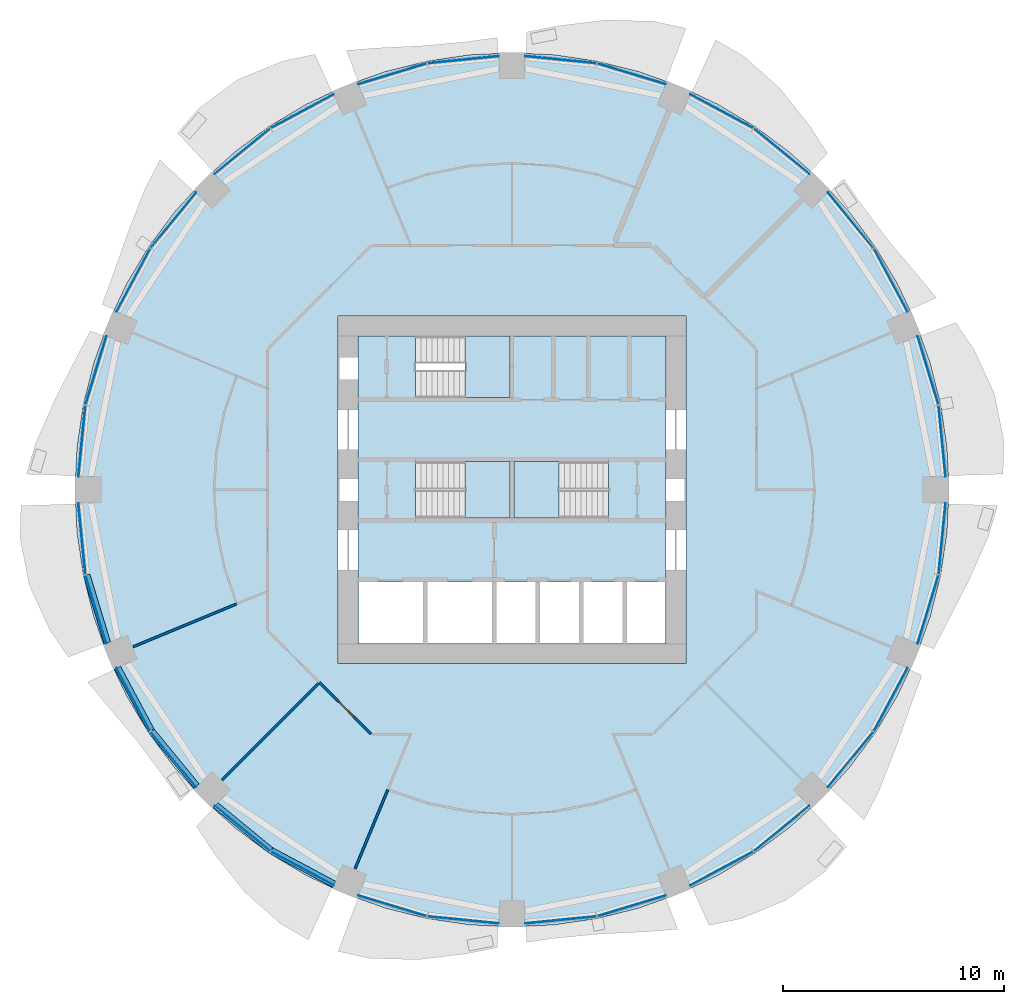
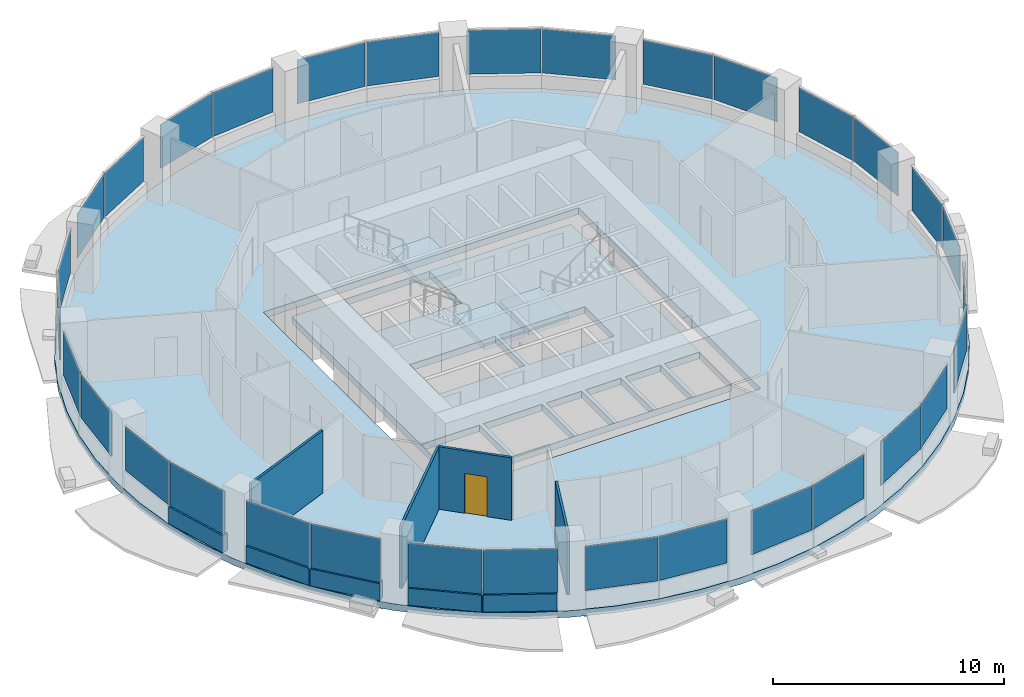
# One storey, part 7 of 15: 32 plates, 9 walls, 5 slabs, 1 door, 1 opening, 19 elements without a shape of their own.
"""IFC4 building model written with IfcOpenShell, lengths in metres."""

from ifc_helpers import new_model, si_unit, direction, frame, frame_2d, origin, origin_2d, place, context, subcontext, project, spatial, polyline, rectangle, outline, extrude, material, layer, layer_set, type_object, element, fill, aggregate, save


model = new_model("IFC4")

# Units and contexts
model_context = context("Model", 3, precision=1e-05, world=origin(), true_north=direction((0.0, 1.0)))
body_context = subcontext(model_context, "Body", "Model", "MODEL_VIEW")
ifc_project = project(units=[si_unit("LENGTHUNIT", "METRE"), si_unit("AREAUNIT", "SQUARE_METRE"), si_unit("VOLUMEUNIT", "CUBIC_METRE"), si_unit("PLANEANGLEUNIT", "RADIAN"), si_unit("MASSUNIT", "GRAM", prefix="KILO")], contexts=[model_context])

# Site, building, storey
site_placement = place(None, origin())
site = spatial("IfcSite", under=ifc_project, at=site_placement, CompositionType="ELEMENT")
building_placement = place(site_placement, origin())
building = spatial("IfcBuilding", under=site, at=building_placement, Name="Polderwave Tower", CompositionType="ELEMENT")
storey_placement = place(building_placement, frame((0.0, 0.0, 33.5)))
storey = spatial("IfcBuildingStorey", under=building, at=storey_placement, Name="L08", CompositionType="ELEMENT", Elevation=33.5)

# Slab
ifc_material_1 = material(Name="Concrete C40/50", Category="concrete")
ifc_layer_1 = layer(ifc_material_1, 0.35009765625)
ifc_layer_set_1 = layer_set([ifc_layer_1], Name="Core floor slab 350")
slab_type_1 = type_object("IfcSlabType", Name="Core floor slab 350", PredefinedType="FLOOR", material=ifc_layer_set_1)
slab_1_placement = place(storey_placement, frame((0.0, 0.0, -0.35009765625)))
element("IfcSlab", 1, at=slab_1_placement, inside=storey, type_object=slab_type_1, Name="L08 core floor", PredefinedType="FLOOR", context=body_context, shape_type="SweptSolid", body=[
    extrude(outline(polyline([(-6.97412109375, -6.97412109375), (6.97412109375, -6.97412109375), (6.97412109375, 6.97412109375), (-6.97412109375, 6.97412109375), (-6.97412109375, -6.97412109375)]), holes=[polyline([(-6.9541015625, -6.9541015625), (-4.037109375, -6.9541015625), (-4.037109375, -4.174072265625), (-6.9541015625, -4.174072265625), (-6.9541015625, -6.9541015625)]), polyline([(-3.8369140625, -6.9541015625), (-0.89990234375, -6.9541015625), (-0.89990234375, -4.174072265625), (-3.8369140625, -4.174072265625), (-3.8369140625, -6.9541015625)]), polyline([(-0.699951171875, -6.9541015625), (1.068603515625, -6.9541015625), (1.068603515625, -4.174072265625), (-0.699951171875, -4.174072265625), (-0.699951171875, -6.9541015625)]), polyline([(1.2685546875, -6.9541015625), (3.037109375, -6.9541015625), (3.037109375, -4.174072265625), (1.2685546875, -4.174072265625), (1.2685546875, -6.9541015625)]), polyline([(3.237060546875, -6.9541015625), (5.005615234375, -6.9541015625), (5.005615234375, -4.174072265625), (3.237060546875, -4.174072265625), (3.237060546875, -6.9541015625)]), polyline([(5.20556640625, -6.9541015625), (6.9541015625, -6.9541015625), (6.9541015625, -4.174072265625), (5.20556640625, -4.174072265625), (5.20556640625, -6.9541015625)]), polyline([(-4.37353515625, -1.2744140625), (-0.1005859375, -1.2744140625), (-0.1005859375, 1.2744140625), (-4.37353515625, 1.2744140625), (-4.37353515625, -1.2744140625)]), polyline([(0.1005859375, -1.2744140625), (4.37353515625, -1.2744140625), (4.37353515625, 1.2744140625), (0.1005859375, 1.2744140625), (0.1005859375, -1.2744140625)]), polyline([(-4.37353515625, 4.174560546875), (-0.1005859375, 4.174560546875), (-0.1005859375, 6.9541015625), (-4.37353515625, 6.9541015625), (-4.37353515625, 4.174560546875)])]), origin(), (0.0, 0.0, 1.0), 0.35009765625),
])

# Curtain wall, plates
ifc_material_2 = material(Name="Aluminium 6063-T6 and glass", Category="aluminium")
curtain_wall_type = type_object("IfcCurtainWallType", Name="Growing floor ribbon glazing wall", PredefinedType="NOTDEFINED", material=ifc_material_2)
curtain_wall_1_placement = place(storey_placement, origin())
curtain_wall_1 = element("IfcCurtainWall", 2, at=curtain_wall_1_placement, inside=storey, type_object=curtain_wall_type, Name="CW2 L08 00", PredefinedType="NOTDEFINED")
ifc_material_3 = material(Name="Glass, low-e laminated double glazing", Category="glass")
ifc_layer_2 = layer(ifc_material_3, 0.028076171875)
ifc_layer_set_2 = layer_set([ifc_layer_2], Name="Growing floor ribbon glazing glass panel 28 mm")
plate_type = type_object("IfcPlateType", Name="Growing floor ribbon glazing glass panel 28 mm", PredefinedType="CURTAIN_PANEL", material=ifc_layer_set_2)
plate_1_placement = place(storey_placement, frame((19.482421875, 2.20654296875, 0.89990234375), z_axis=(0.0, 0.0, 1.0), x_axis=(-0.098197778915, 0.995166918771, 0.0)))
plate_1 = element("IfcPlate", 3, at=plate_1_placement, type_object=plate_type, Name="CW2 panel 1", PredefinedType="CURTAIN_PANEL", context=body_context, shape_type="SweptSolid", body=[
    extrude(rectangle(XDim=3.228759765625, YDim=0.028076171875, at=origin_2d()), origin(), (0.0, 0.0, 1.0), 2.320068359375),
])
plate_2_placement = place(storey_placement, frame((18.843505859375, 5.4169921875, 0.89990234375), z_axis=(0.0, 0.0, 1.0), x_axis=(-0.290246262973, 0.956951987735, 0.0)))
plate_2 = element("IfcPlate", 4, at=plate_2_placement, type_object=plate_type, Name="CW2 panel 2", PredefinedType="CURTAIN_PANEL", context=body_context, shape_type="SweptSolid", body=[
    extrude(rectangle(XDim=3.229248046875, YDim=0.028076171875, at=origin_2d()), origin(), (0.0, 0.0, 1.0), 2.320068359375),
])
aggregate(curtain_wall_1, [plate_1, plate_2])

curtain_wall_2_placement = place(storey_placement, origin())
curtain_wall_2 = element("IfcCurtainWall", 5, at=curtain_wall_2_placement, inside=storey, type_object=curtain_wall_type, Name="CW2 L08 01", PredefinedType="NOTDEFINED")
plate_3_placement = place(storey_placement, frame((17.155029296875, 9.494873046875, 0.89990234375), z_axis=(0.0, 0.0, 1.0), x_axis=(-0.471352098176, 0.881945122752, 0.0)))
plate_3 = element("IfcPlate", 6, at=plate_3_placement, type_object=plate_type, Name="CW2 panel 1", PredefinedType="CURTAIN_PANEL", context=body_context, shape_type="SweptSolid", body=[
    extrude(rectangle(XDim=3.228759765625, YDim=0.028076171875, at=origin_2d()), origin(), (0.0, 0.0, 1.0), 2.320068359375),
])
plate_4_placement = place(storey_placement, frame((15.33642578125, 12.216064453125, 0.89990234375), z_axis=(0.0, 0.0, 1.0), x_axis=(-0.634524143374, 0.772903041445, 0.0)))
plate_4 = element("IfcPlate", 7, at=plate_4_placement, type_object=plate_type, Name="CW2 panel 2", PredefinedType="CURTAIN_PANEL", context=body_context, shape_type="SweptSolid", body=[
    extrude(rectangle(XDim=3.22900390625, YDim=0.028076171875, at=origin_2d()), origin(), (0.0, 0.0, 1.0), 2.320068359375),
])
aggregate(curtain_wall_2, [plate_3, plate_4])

curtain_wall_3_placement = place(storey_placement, origin())
curtain_wall_3 = element("IfcCurtainWall", 8, at=curtain_wall_3_placement, inside=storey, type_object=curtain_wall_type, Name="CW2 L08 02", PredefinedType="NOTDEFINED")
plate_5_placement = place(storey_placement, frame((12.216064453125, 15.33642578125, 0.89990234375), z_axis=(0.0, 0.0, 1.0), x_axis=(-0.772903041445, 0.634524143374, 0.0)))
plate_5 = element("IfcPlate", 9, at=plate_5_placement, type_object=plate_type, Name="CW2 panel 1", PredefinedType="CURTAIN_PANEL", context=body_context, shape_type="SweptSolid", body=[
    extrude(rectangle(XDim=3.22900390625, YDim=0.028076171875, at=origin_2d()), origin(), (0.0, 0.0, 1.0), 2.320068359375),
])
plate_6_placement = place(storey_placement, frame((9.494873046875, 17.155029296875, 0.89990234375), z_axis=(0.0, 0.0, 1.0), x_axis=(-0.881945122752, 0.471352098176, 0.0)))
plate_6 = element("IfcPlate", 10, at=plate_6_placement, type_object=plate_type, Name="CW2 panel 2", PredefinedType="CURTAIN_PANEL", context=body_context, shape_type="SweptSolid", body=[
    extrude(rectangle(XDim=3.228759765625, YDim=0.028076171875, at=origin_2d()), origin(), (0.0, 0.0, 1.0), 2.320068359375),
])
aggregate(curtain_wall_3, [plate_5, plate_6])

curtain_wall_4_placement = place(storey_placement, origin())
curtain_wall_4 = element("IfcCurtainWall", 11, at=curtain_wall_4_placement, inside=storey, type_object=curtain_wall_type, Name="CW2 L08 03", PredefinedType="NOTDEFINED")
plate_7_placement = place(storey_placement, frame((5.4169921875, 18.843505859375, 0.89990234375), z_axis=(0.0, 0.0, 1.0), x_axis=(-0.956951987735, 0.290246262973, 0.0)))
plate_7 = element("IfcPlate", 12, at=plate_7_placement, type_object=plate_type, Name="CW2 panel 1", PredefinedType="CURTAIN_PANEL", context=body_context, shape_type="SweptSolid", body=[
    extrude(rectangle(XDim=3.229248046875, YDim=0.028076171875, at=origin_2d()), origin(), (0.0, 0.0, 1.0), 2.320068359375),
])
plate_8_placement = place(storey_placement, frame((2.20654296875, 19.482421875, 0.89990234375), z_axis=(0.0, 0.0, 1.0), x_axis=(-0.995166918771, 0.098197778915, 0.0)))
plate_8 = element("IfcPlate", 13, at=plate_8_placement, type_object=plate_type, Name="CW2 panel 2", PredefinedType="CURTAIN_PANEL", context=body_context, shape_type="SweptSolid", body=[
    extrude(rectangle(XDim=3.228759765625, YDim=0.028076171875, at=origin_2d()), origin(), (0.0, 0.0, 1.0), 2.320068359375),
])
aggregate(curtain_wall_4, [plate_7, plate_8])

curtain_wall_5_placement = place(storey_placement, origin())
curtain_wall_5 = element("IfcCurtainWall", 14, at=curtain_wall_5_placement, inside=storey, type_object=curtain_wall_type, Name="CW2 L08 04", PredefinedType="NOTDEFINED")
plate_9_placement = place(storey_placement, frame((-2.20654296875, 19.482421875, 0.89990234375), z_axis=(0.0, 0.0, 1.0), x_axis=(-0.995166918771, -0.098197778915, 0.0)))
plate_9 = element("IfcPlate", 15, at=plate_9_placement, type_object=plate_type, Name="CW2 panel 1", PredefinedType="CURTAIN_PANEL", context=body_context, shape_type="SweptSolid", body=[
    extrude(rectangle(XDim=3.228759765625, YDim=0.028076171875, at=origin_2d()), origin(), (0.0, 0.0, 1.0), 2.320068359375),
])
plate_10_placement = place(storey_placement, frame((-5.4169921875, 18.843505859375, 0.89990234375), z_axis=(0.0, 0.0, 1.0), x_axis=(-0.956951987735, -0.290246262973, 0.0)))
plate_10 = element("IfcPlate", 16, at=plate_10_placement, type_object=plate_type, Name="CW2 panel 2", PredefinedType="CURTAIN_PANEL", context=body_context, shape_type="SweptSolid", body=[
    extrude(rectangle(XDim=3.229248046875, YDim=0.028076171875, at=origin_2d()), origin(), (0.0, 0.0, 1.0), 2.320068359375),
])
aggregate(curtain_wall_5, [plate_9, plate_10])

curtain_wall_6_placement = place(storey_placement, origin())
curtain_wall_6 = element("IfcCurtainWall", 17, at=curtain_wall_6_placement, inside=storey, type_object=curtain_wall_type, Name="CW2 L08 05", PredefinedType="NOTDEFINED")
plate_11_placement = place(storey_placement, frame((-9.494873046875, 17.155029296875, 0.89990234375), z_axis=(0.0, 0.0, 1.0), x_axis=(-0.881945122752, -0.471352098176, 0.0)))
plate_11 = element("IfcPlate", 18, at=plate_11_placement, type_object=plate_type, Name="CW2 panel 1", PredefinedType="CURTAIN_PANEL", context=body_context, shape_type="SweptSolid", body=[
    extrude(rectangle(XDim=3.228759765625, YDim=0.028076171875, at=origin_2d()), origin(), (0.0, 0.0, 1.0), 2.320068359375),
])
plate_12_placement = place(storey_placement, frame((-12.216064453125, 15.33642578125, 0.89990234375), z_axis=(0.0, 0.0, 1.0), x_axis=(-0.772903041445, -0.634524143374, 0.0)))
plate_12 = element("IfcPlate", 19, at=plate_12_placement, type_object=plate_type, Name="CW2 panel 2", PredefinedType="CURTAIN_PANEL", context=body_context, shape_type="SweptSolid", body=[
    extrude(rectangle(XDim=3.22900390625, YDim=0.028076171875, at=origin_2d()), origin(), (0.0, 0.0, 1.0), 2.320068359375),
])
aggregate(curtain_wall_6, [plate_11, plate_12])

curtain_wall_7_placement = place(storey_placement, origin())
curtain_wall_7 = element("IfcCurtainWall", 20, at=curtain_wall_7_placement, inside=storey, type_object=curtain_wall_type, Name="CW2 L08 06", PredefinedType="NOTDEFINED")
plate_13_placement = place(storey_placement, frame((-15.33642578125, 12.216064453125, 0.89990234375), z_axis=(0.0, 0.0, 1.0), x_axis=(-0.634524143374, -0.772903041445, 0.0)))
plate_13 = element("IfcPlate", 21, at=plate_13_placement, type_object=plate_type, Name="CW2 panel 1", PredefinedType="CURTAIN_PANEL", context=body_context, shape_type="SweptSolid", body=[
    extrude(rectangle(XDim=3.22900390625, YDim=0.028076171875, at=origin_2d()), origin(), (0.0, 0.0, 1.0), 2.320068359375),
])
plate_14_placement = place(storey_placement, frame((-17.155029296875, 9.494873046875, 0.89990234375), z_axis=(0.0, 0.0, 1.0), x_axis=(-0.471352098176, -0.881945122752, 0.0)))
plate_14 = element("IfcPlate", 22, at=plate_14_placement, type_object=plate_type, Name="CW2 panel 2", PredefinedType="CURTAIN_PANEL", context=body_context, shape_type="SweptSolid", body=[
    extrude(rectangle(XDim=3.228759765625, YDim=0.028076171875, at=origin_2d()), origin(), (0.0, 0.0, 1.0), 2.320068359375),
])
aggregate(curtain_wall_7, [plate_13, plate_14])

curtain_wall_8_placement = place(storey_placement, origin())
curtain_wall_8 = element("IfcCurtainWall", 23, at=curtain_wall_8_placement, inside=storey, type_object=curtain_wall_type, Name="CW2 L08 07", PredefinedType="NOTDEFINED")
plate_15_placement = place(storey_placement, frame((-18.843505859375, 5.4169921875, 0.89990234375), z_axis=(0.0, 0.0, 1.0), x_axis=(-0.290246262973, -0.956951987735, 0.0)))
plate_15 = element("IfcPlate", 24, at=plate_15_placement, type_object=plate_type, Name="CW2 panel 1", PredefinedType="CURTAIN_PANEL", context=body_context, shape_type="SweptSolid", body=[
    extrude(rectangle(XDim=3.229248046875, YDim=0.028076171875, at=origin_2d()), origin(), (0.0, 0.0, 1.0), 2.320068359375),
])
plate_16_placement = place(storey_placement, frame((-19.482421875, 2.20654296875, 0.89990234375), z_axis=(0.0, 0.0, 1.0), x_axis=(-0.098197778915, -0.995166918771, 0.0)))
plate_16 = element("IfcPlate", 25, at=plate_16_placement, type_object=plate_type, Name="CW2 panel 2", PredefinedType="CURTAIN_PANEL", context=body_context, shape_type="SweptSolid", body=[
    extrude(rectangle(XDim=3.228759765625, YDim=0.028076171875, at=origin_2d()), origin(), (0.0, 0.0, 1.0), 2.320068359375),
])
aggregate(curtain_wall_8, [plate_15, plate_16])

curtain_wall_9_placement = place(storey_placement, origin())
curtain_wall_9 = element("IfcCurtainWall", 26, at=curtain_wall_9_placement, inside=storey, type_object=curtain_wall_type, Name="CW2 L08 08", PredefinedType="NOTDEFINED")
plate_17_placement = place(storey_placement, frame((-19.482421875, -2.20654296875, 0.89990234375), z_axis=(0.0, 0.0, 1.0), x_axis=(0.098197778915, -0.995166918771, 0.0)))
plate_17 = element("IfcPlate", 27, at=plate_17_placement, type_object=plate_type, Name="CW2 panel 1", PredefinedType="CURTAIN_PANEL", context=body_context, shape_type="SweptSolid", body=[
    extrude(rectangle(XDim=3.228759765625, YDim=0.028076171875, at=origin_2d()), origin(), (0.0, 0.0, 1.0), 2.320068359375),
])
plate_18_placement = place(storey_placement, frame((-18.843505859375, -5.4169921875, 0.89990234375), z_axis=(0.0, 0.0, 1.0), x_axis=(0.290246262973, -0.956951987735, 0.0)))
plate_18 = element("IfcPlate", 28, at=plate_18_placement, type_object=plate_type, Name="CW2 panel 2", PredefinedType="CURTAIN_PANEL", context=body_context, shape_type="SweptSolid", body=[
    extrude(rectangle(XDim=3.229248046875, YDim=0.028076171875, at=origin_2d()), origin(), (0.0, 0.0, 1.0), 2.320068359375),
])
aggregate(curtain_wall_9, [plate_17, plate_18])

curtain_wall_10_placement = place(storey_placement, origin())
curtain_wall_10 = element("IfcCurtainWall", 29, at=curtain_wall_10_placement, inside=storey, type_object=curtain_wall_type, Name="CW2 L08 09", PredefinedType="NOTDEFINED")
plate_19_placement = place(storey_placement, frame((-17.155029296875, -9.494873046875, 0.89990234375), z_axis=(0.0, 0.0, 1.0), x_axis=(0.471352098176, -0.881945122752, 0.0)))
plate_19 = element("IfcPlate", 30, at=plate_19_placement, type_object=plate_type, Name="CW2 panel 1", PredefinedType="CURTAIN_PANEL", context=body_context, shape_type="SweptSolid", body=[
    extrude(rectangle(XDim=3.228759765625, YDim=0.028076171875, at=origin_2d()), origin(), (0.0, 0.0, 1.0), 2.320068359375),
])
plate_20_placement = place(storey_placement, frame((-15.33642578125, -12.216064453125, 0.89990234375), z_axis=(0.0, 0.0, 1.0), x_axis=(0.634524143374, -0.772903041445, 0.0)))
plate_20 = element("IfcPlate", 31, at=plate_20_placement, type_object=plate_type, Name="CW2 panel 2", PredefinedType="CURTAIN_PANEL", context=body_context, shape_type="SweptSolid", body=[
    extrude(rectangle(XDim=3.22900390625, YDim=0.028076171875, at=origin_2d()), origin(), (0.0, 0.0, 1.0), 2.320068359375),
])
aggregate(curtain_wall_10, [plate_19, plate_20])

curtain_wall_11_placement = place(storey_placement, origin())
curtain_wall_11 = element("IfcCurtainWall", 32, at=curtain_wall_11_placement, inside=storey, type_object=curtain_wall_type, Name="CW2 L08 10", PredefinedType="NOTDEFINED")
plate_21_placement = place(storey_placement, frame((-12.216064453125, -15.33642578125, 0.89990234375), z_axis=(0.0, 0.0, 1.0), x_axis=(0.772903041445, -0.634524143374, 0.0)))
plate_21 = element("IfcPlate", 33, at=plate_21_placement, type_object=plate_type, Name="CW2 panel 1", PredefinedType="CURTAIN_PANEL", context=body_context, shape_type="SweptSolid", body=[
    extrude(rectangle(XDim=3.22900390625, YDim=0.028076171875, at=origin_2d()), origin(), (0.0, 0.0, 1.0), 2.320068359375),
])
plate_22_placement = place(storey_placement, frame((-9.494873046875, -17.155029296875, 0.89990234375), z_axis=(0.0, 0.0, 1.0), x_axis=(0.881945122752, -0.471352098176, 0.0)))
plate_22 = element("IfcPlate", 34, at=plate_22_placement, type_object=plate_type, Name="CW2 panel 2", PredefinedType="CURTAIN_PANEL", context=body_context, shape_type="SweptSolid", body=[
    extrude(rectangle(XDim=3.228759765625, YDim=0.028076171875, at=origin_2d()), origin(), (0.0, 0.0, 1.0), 2.320068359375),
])
aggregate(curtain_wall_11, [plate_21, plate_22])

curtain_wall_12_placement = place(storey_placement, origin())
curtain_wall_12 = element("IfcCurtainWall", 35, at=curtain_wall_12_placement, inside=storey, type_object=curtain_wall_type, Name="CW2 L08 11", PredefinedType="NOTDEFINED")
plate_23_placement = place(storey_placement, frame((-5.4169921875, -18.843505859375, 0.89990234375), z_axis=(0.0, 0.0, 1.0), x_axis=(0.956951987735, -0.290246262973, 0.0)))
plate_23 = element("IfcPlate", 36, at=plate_23_placement, type_object=plate_type, Name="CW2 panel 1", PredefinedType="CURTAIN_PANEL", context=body_context, shape_type="SweptSolid", body=[
    extrude(rectangle(XDim=3.229248046875, YDim=0.028076171875, at=origin_2d()), origin(), (0.0, 0.0, 1.0), 2.320068359375),
])
plate_24_placement = place(storey_placement, frame((-2.20654296875, -19.482421875, 0.89990234375), z_axis=(0.0, 0.0, 1.0), x_axis=(0.995166918771, -0.098197778915, 0.0)))
plate_24 = element("IfcPlate", 37, at=plate_24_placement, type_object=plate_type, Name="CW2 panel 2", PredefinedType="CURTAIN_PANEL", context=body_context, shape_type="SweptSolid", body=[
    extrude(rectangle(XDim=3.228759765625, YDim=0.028076171875, at=origin_2d()), origin(), (0.0, 0.0, 1.0), 2.320068359375),
])
aggregate(curtain_wall_12, [plate_23, plate_24])

curtain_wall_13_placement = place(storey_placement, origin())
curtain_wall_13 = element("IfcCurtainWall", 38, at=curtain_wall_13_placement, inside=storey, type_object=curtain_wall_type, Name="CW2 L08 12", PredefinedType="NOTDEFINED")
plate_25_placement = place(storey_placement, frame((2.20654296875, -19.482421875, 0.89990234375), z_axis=(0.0, 0.0, 1.0), x_axis=(0.995166918771, 0.098197778915, 0.0)))
plate_25 = element("IfcPlate", 39, at=plate_25_placement, type_object=plate_type, Name="CW2 panel 1", PredefinedType="CURTAIN_PANEL", context=body_context, shape_type="SweptSolid", body=[
    extrude(rectangle(XDim=3.228759765625, YDim=0.028076171875, at=origin_2d()), origin(), (0.0, 0.0, 1.0), 2.320068359375),
])
plate_26_placement = place(storey_placement, frame((5.4169921875, -18.843505859375, 0.89990234375), z_axis=(0.0, 0.0, 1.0), x_axis=(0.956951987735, 0.290246262973, 0.0)))
plate_26 = element("IfcPlate", 40, at=plate_26_placement, type_object=plate_type, Name="CW2 panel 2", PredefinedType="CURTAIN_PANEL", context=body_context, shape_type="SweptSolid", body=[
    extrude(rectangle(XDim=3.229248046875, YDim=0.028076171875, at=origin_2d()), origin(), (0.0, 0.0, 1.0), 2.320068359375),
])
aggregate(curtain_wall_13, [plate_25, plate_26])

curtain_wall_14_placement = place(storey_placement, origin())
curtain_wall_14 = element("IfcCurtainWall", 41, at=curtain_wall_14_placement, inside=storey, type_object=curtain_wall_type, Name="CW2 L08 13", PredefinedType="NOTDEFINED")
plate_27_placement = place(storey_placement, frame((9.494873046875, -17.155029296875, 0.89990234375), z_axis=(0.0, 0.0, 1.0), x_axis=(0.881945122752, 0.471352098176, 0.0)))
plate_27 = element("IfcPlate", 42, at=plate_27_placement, type_object=plate_type, Name="CW2 panel 1", PredefinedType="CURTAIN_PANEL", context=body_context, shape_type="SweptSolid", body=[
    extrude(rectangle(XDim=3.228759765625, YDim=0.028076171875, at=origin_2d()), origin(), (0.0, 0.0, 1.0), 2.320068359375),
])
plate_28_placement = place(storey_placement, frame((12.216064453125, -15.33642578125, 0.89990234375), z_axis=(0.0, 0.0, 1.0), x_axis=(0.772903041445, 0.634524143374, 0.0)))
plate_28 = element("IfcPlate", 43, at=plate_28_placement, type_object=plate_type, Name="CW2 panel 2", PredefinedType="CURTAIN_PANEL", context=body_context, shape_type="SweptSolid", body=[
    extrude(rectangle(XDim=3.22900390625, YDim=0.028076171875, at=origin_2d()), origin(), (0.0, 0.0, 1.0), 2.320068359375),
])
aggregate(curtain_wall_14, [plate_27, plate_28])

curtain_wall_15_placement = place(storey_placement, origin())
curtain_wall_15 = element("IfcCurtainWall", 44, at=curtain_wall_15_placement, inside=storey, type_object=curtain_wall_type, Name="CW2 L08 14", PredefinedType="NOTDEFINED")
plate_29_placement = place(storey_placement, frame((15.33642578125, -12.216064453125, 0.89990234375), z_axis=(0.0, 0.0, 1.0), x_axis=(0.634524143374, 0.772903041445, 0.0)))
plate_29 = element("IfcPlate", 45, at=plate_29_placement, type_object=plate_type, Name="CW2 panel 1", PredefinedType="CURTAIN_PANEL", context=body_context, shape_type="SweptSolid", body=[
    extrude(rectangle(XDim=3.22900390625, YDim=0.028076171875, at=origin_2d()), origin(), (0.0, 0.0, 1.0), 2.320068359375),
])
plate_30_placement = place(storey_placement, frame((17.155029296875, -9.494873046875, 0.89990234375), z_axis=(0.0, 0.0, 1.0), x_axis=(0.471352098176, 0.881945122752, 0.0)))
plate_30 = element("IfcPlate", 46, at=plate_30_placement, type_object=plate_type, Name="CW2 panel 2", PredefinedType="CURTAIN_PANEL", context=body_context, shape_type="SweptSolid", body=[
    extrude(rectangle(XDim=3.228759765625, YDim=0.028076171875, at=origin_2d()), origin(), (0.0, 0.0, 1.0), 2.320068359375),
])
aggregate(curtain_wall_15, [plate_29, plate_30])

curtain_wall_16_placement = place(storey_placement, origin())
curtain_wall_16 = element("IfcCurtainWall", 47, at=curtain_wall_16_placement, inside=storey, type_object=curtain_wall_type, Name="CW2 L08 15", PredefinedType="NOTDEFINED")
plate_31_placement = place(storey_placement, frame((18.843505859375, -5.4169921875, 0.89990234375), z_axis=(0.0, 0.0, 1.0), x_axis=(0.290246262973, 0.956951987735, 0.0)))
plate_31 = element("IfcPlate", 48, at=plate_31_placement, type_object=plate_type, Name="CW2 panel 1", PredefinedType="CURTAIN_PANEL", context=body_context, shape_type="SweptSolid", body=[
    extrude(rectangle(XDim=3.229248046875, YDim=0.028076171875, at=origin_2d()), origin(), (0.0, 0.0, 1.0), 2.320068359375),
])
plate_32_placement = place(storey_placement, frame((19.482421875, -2.20654296875, 0.89990234375), z_axis=(0.0, 0.0, 1.0), x_axis=(0.098197778915, 0.995166918771, 0.0)))
plate_32 = element("IfcPlate", 49, at=plate_32_placement, type_object=plate_type, Name="CW2 panel 2", PredefinedType="CURTAIN_PANEL", context=body_context, shape_type="SweptSolid", body=[
    extrude(rectangle(XDim=3.228759765625, YDim=0.028076171875, at=origin_2d()), origin(), (0.0, 0.0, 1.0), 2.320068359375),
])
aggregate(curtain_wall_16, [plate_31, plate_32])

# Slab
ifc_layer_3 = layer(ifc_material_1, 0.35009765625)
ifc_layer_set_3 = layer_set([ifc_layer_3], Name="PT FLOOR SLAB 350 C40/50")
slab_type_2 = type_object("IfcSlabType", Name="PT FLOOR SLAB 350 C40/50", PredefinedType="FLOOR", material=ifc_layer_set_3)
slab_2_placement = place(storey_placement, frame((0.0, 0.0, -0.35009765625)))
element("IfcSlab", 50, at=slab_2_placement, inside=storey, type_object=slab_type_2, Name="ST-SLAB-L08", PredefinedType="FLOOR", context=body_context, shape_type="SweptSolid", body=[
    extrude(outline(polyline([(19.800048828125, 0.0), (19.70458984375, 1.940673828125), (19.41943359375, 3.86279296875), (18.947509765625, 5.74755859375), (18.292724609375, 7.5771484375), (17.4619140625, 9.333740234375), (16.463134765625, 11.000244140625), (15.3056640625, 12.56103515625), (14.000732421875, 14.000732421875), (12.56103515625, 15.3056640625), (11.000244140625, 16.463134765625), (9.333740234375, 17.4619140625), (7.5771484375, 18.292724609375), (5.74755859375, 18.947509765625), (3.86279296875, 19.41943359375), (1.940673828125, 19.70458984375), (0.0, 19.800048828125), (-1.940673828125, 19.70458984375), (-3.86279296875, 19.41943359375), (-5.74755859375, 18.947509765625), (-7.5771484375, 18.292724609375), (-9.333740234375, 17.4619140625), (-11.000244140625, 16.463134765625), (-12.56103515625, 15.3056640625), (-14.000732421875, 14.000732421875), (-15.3056640625, 12.56103515625), (-16.463134765625, 11.000244140625), (-17.4619140625, 9.333740234375), (-18.292724609375, 7.5771484375), (-18.947509765625, 5.74755859375), (-19.41943359375, 3.86279296875), (-19.70458984375, 1.940673828125), (-19.800048828125, 0.0), (-19.70458984375, -1.940673828125), (-19.41943359375, -3.86279296875), (-18.947509765625, -5.74755859375), (-18.292724609375, -7.5771484375), (-17.4619140625, -9.333740234375), (-16.463134765625, -11.000244140625), (-15.3056640625, -12.56103515625), (-14.000732421875, -14.000732421875), (-12.56103515625, -15.3056640625), (-11.000244140625, -16.463134765625), (-9.333740234375, -17.4619140625), (-7.5771484375, -18.292724609375), (-5.74755859375, -18.947509765625), (-3.86279296875, -19.41943359375), (-1.940673828125, -19.70458984375), (0.0, -19.800048828125), (1.940673828125, -19.70458984375), (3.86279296875, -19.41943359375), (5.74755859375, -18.947509765625), (7.5771484375, -18.292724609375), (9.333740234375, -17.4619140625), (11.000244140625, -16.463134765625), (12.56103515625, -15.3056640625), (14.000732421875, -14.000732421875), (15.3056640625, -12.56103515625), (16.463134765625, -11.000244140625), (17.4619140625, -9.333740234375), (18.292724609375, -7.5771484375), (18.947509765625, -5.74755859375), (19.41943359375, -3.86279296875), (19.70458984375, -1.940673828125), (19.800048828125, 0.0)]), holes=[polyline([(-7.8740234375, -7.8740234375), (7.8740234375, -7.8740234375), (7.8740234375, 7.8740234375), (-7.8740234375, 7.8740234375), (-7.8740234375, -7.8740234375)])]), origin(), (0.0, 0.0, 1.0), 0.35009765625),
])

# Stair, slab
stair_type = type_object("IfcStairType", Name="Exit stair 1200 x 20 risers", PredefinedType="HALF_TURN_STAIR", material=ifc_material_1)
stair_1_placement = place(storey_placement, origin())
stair_1 = element("IfcStair", 51, at=stair_1_placement, inside=storey, type_object=stair_type, Name="L08 Exit stair A", PredefinedType="HALF_TURN_STAIR")
ifc_layer_4 = layer(ifc_material_1, 0.300048828125)
ifc_layer_set_4 = layer_set([ifc_layer_4], Name="Stair landing 300")
slab_type_3 = type_object("IfcSlabType", Name="Stair landing 300", PredefinedType="LANDING", material=ifc_layer_set_4)
slab_3_placement = place(storey_placement, frame((0.0, 0.0, 1.52490234375)))
slab_3 = element("IfcSlab", 52, at=slab_3_placement, type_object=slab_type_3, Name="ST-A landing 1", PredefinedType="LANDING", context=body_context, shape_type="SweptSolid", body=[
    extrude(outline(polyline([(-2.1240234375, -1.27490234375), (-0.10009765625, -1.27490234375), (-0.10009765625, 1.27490234375), (-2.1240234375, 1.27490234375), (-2.1240234375, -1.27490234375)])), origin(), (0.0, 0.0, 1.0), 0.300048828125),
])
aggregate(stair_1, [slab_3])

stair_2_placement = place(storey_placement, origin())
stair_2 = element("IfcStair", 53, at=stair_2_placement, inside=storey, type_object=stair_type, Name="L08 Exit stair B", PredefinedType="HALF_TURN_STAIR")
slab_4_placement = place(storey_placement, frame((0.0, 0.0, 1.52490234375)))
slab_4 = element("IfcSlab", 54, at=slab_4_placement, type_object=slab_type_3, Name="ST-B landing 1", PredefinedType="LANDING", context=body_context, shape_type="SweptSolid", body=[
    extrude(outline(polyline([(2.1240234375, 1.27490234375), (0.10009765625, 1.27490234375), (0.10009765625, -1.27490234375), (2.1240234375, -1.27490234375), (2.1240234375, 1.27490234375)])), origin(), (0.0, 0.0, 1.0), 0.300048828125),
])
aggregate(stair_2, [slab_4])

stair_3_placement = place(storey_placement, origin())
stair_3 = element("IfcStair", 55, at=stair_3_placement, inside=storey, type_object=stair_type, Name="L08 Exit stair C", PredefinedType="HALF_TURN_STAIR")
slab_5_placement = place(storey_placement, frame((0.0, 0.0, 1.52490234375)))
slab_5 = element("IfcSlab", 56, at=slab_5_placement, type_object=slab_type_3, Name="ST-C landing 1", PredefinedType="LANDING", context=body_context, shape_type="SweptSolid", body=[
    extrude(outline(polyline([(-2.1240234375, 4.174072265625), (-0.10009765625, 4.174072265625), (-0.10009765625, 6.97412109375), (-2.1240234375, 6.97412109375), (-2.1240234375, 4.174072265625)])), origin(), (0.0, 0.0, 1.0), 0.300048828125),
])
aggregate(stair_3, [slab_5])

# Walls
ifc_material_4 = material(Name="Concrete C50/60 (board-marked)", Category="concrete")
ifc_layer_5 = layer(ifc_material_4, 0.300048828125)
ifc_layer_set_5 = layer_set([ifc_layer_5], Name="Concrete spandrel upstand C50/60")
wall_type_1 = type_object("IfcWallType", Name="Concrete spandrel upstand C50/60", PredefinedType="SOLIDWALL", material=ifc_layer_set_5)
wall_1_placement = place(storey_placement, frame((-19.267578125, -3.847412109375, 0.0), z_axis=(0.0, 0.0, 1.0), x_axis=(0.290301899131, -0.956935111364, 0.0)))
element("IfcWall", 57, at=wall_1_placement, inside=storey, type_object=wall_type_1, Name="Spandrel L08 9b", PredefinedType="SOLIDWALL", context=body_context, shape_type="SweptSolid", body=[
    extrude(rectangle(XDim=3.220947265625, YDim=0.300048828125, at=frame_2d((1.6103515625, 0.0))), origin(), (0.0, 0.0, 1.0), 0.89990234375),
])
wall_2_placement = place(storey_placement, frame((-17.86279296875, -8.063232421875, 0.0), z_axis=(0.0, 0.0, 1.0), x_axis=(0.471217656413, -0.882016961449, 0.0)))
element("IfcWall", 58, at=wall_2_placement, inside=storey, type_object=wall_type_1, Name="Spandrel L08 10a", PredefinedType="SOLIDWALL", context=body_context, shape_type="SweptSolid", body=[
    extrude(rectangle(XDim=3.220458984375, YDim=0.300048828125, at=frame_2d((1.6103515625, 0.0))), origin(), (0.0, 0.0, 1.0), 0.89990234375),
])
for number, where, z_axis, x_axis, name in (
    (59, (-16.32861328125, -10.9287109375, 0.0), (0.0, 0.0, 1.0), (0.634380496993, -0.773020947345, 0.0), "Spandrel L08 10b"),
    (60, (-13.41845703125, -14.285400390625, 0.0), (0.0, 0.0, 1.0), (0.773020947345, -0.634380496993, 0.0), "Spandrel L08 11a"),
):
    element("IfcWall", number, at=place(storey_placement, frame(where, z_axis=z_axis, x_axis=x_axis)), inside=storey, type_object=wall_type_1, Name=name, PredefinedType="SOLIDWALL", context=body_context, shape_type="SweptSolid", body=[
        extrude(rectangle(XDim=3.220703125, YDim=0.300048828125, at=frame_2d((1.6103515625, 0.0))), origin(), (0.0, 0.0, 1.0), 0.89990234375),
    ])
wall_3_placement = place(storey_placement, frame((-10.90380859375, -16.34521484375, 0.0), z_axis=(0.0, 0.0, 1.0), x_axis=(0.882016961449, -0.471217656413, 0.0)))
element("IfcWall", 61, at=wall_3_placement, inside=storey, type_object=wall_type_1, Name="Spandrel L08 11b", PredefinedType="SOLIDWALL", context=body_context, shape_type="SweptSolid", body=[
    extrude(rectangle(XDim=3.220458984375, YDim=0.300048828125, at=frame_2d((1.6103515625, 0.0))), origin(), (0.0, 0.0, 1.0), 0.89990234375),
])

# Wall, opening, door
ifc_material_5 = material(Name="Fire-resisting board on steel studs", Category="steel")
ifc_layer_6 = layer(ifc_material_5, 0.125)
ifc_layer_set_6 = layer_set([ifc_layer_6], Name="Corridor wall 125 mm EI 60")
wall_type_2 = type_object("IfcWallType", Name="Corridor wall 125 mm EI 60", PredefinedType="PARTITIONING", material=ifc_layer_set_6)
wall_4_placement = place(storey_placement, frame((-6.389404296875, -11.0556640625, 0.0), z_axis=(0.0, 0.0, 1.0), x_axis=(-0.707069784102, 0.707143776336, 0.0)))
wall_4 = element("IfcWall", 62, at=wall_4_placement, inside=storey, type_object=wall_type_2, Name="IN-L08-W018", PredefinedType="PARTITIONING", context=body_context, shape_type="SweptSolid", body=[
    extrude(rectangle(XDim=3.299560546875, YDim=0.125, at=frame_2d((1.64990234375, 0.0))), origin(), (0.0, 0.0, 1.0), 3.300048828125),
])
opening_placement = place(wall_4_placement, frame((1.10009765625, 0.0, 0.0)))
opening = element("IfcOpeningElement", 63, at=opening_placement, cuts=wall_4, Name="Opening L08-D60", PredefinedType="OPENING", context=body_context, shape_type="SweptSolid", body=[
    extrude(rectangle(XDim=1.0, YDim=2.10009765625, at=frame_2d((0.5, 1.050048828125))), frame((0.0, 0.072509765625, 0.0), z_axis=(0.0, -1.0, 0.0), x_axis=(1.0, 0.0, 0.0)), (0.0, 0.0, 1.0), 0.14501953125),
])
ifc_material_6 = material(Name="Timber fire door leaf", Category="wood")
door_type = type_object("IfcDoorType", Name="Fire door FD30S 1000 x 2100", OperationType="NOTDEFINED", PredefinedType="DOOR", material=ifc_material_6)
door_placement = place(opening_placement, origin())
door = element("IfcDoor", 64, at=door_placement, inside=storey, type_object=door_type, Name="Door L08-D60", OperationType="SINGLE_SWING_LEFT", OverallHeight=2.10009765625, OverallWidth=1.0, PredefinedType="DOOR", context=body_context, shape_type="SweptSolid", body=[
    extrude(rectangle(XDim=1.0, YDim=2.10009765625, at=frame_2d((0.5, 1.050048828125))), frame((0.0, 0.02490234375, 0.0), z_axis=(0.0, -1.0, 0.0), x_axis=(1.0, 0.0, 0.0)), (0.0, 0.0, 1.0), 0.050048828125),
])
fill(opening, door)

# Walls
ifc_material_7 = material(Name="Acoustic double plasterboard on steel studs", Category="steel")
ifc_layer_7 = layer(ifc_material_7, 0.110107421875)
ifc_layer_set_7 = layer_set([ifc_layer_7], Name="Partition 110 mm acoustic double board")
wall_type_3 = type_object("IfcWallType", Name="Partition 110 mm acoustic double board", PredefinedType="PARTITIONING", material=ifc_layer_set_7)
wall_5_placement = place(storey_placement, frame((-12.472412109375, -5.166259765625, 0.0), z_axis=(0.0, 0.0, 1.0), x_axis=(-0.923881258966, -0.382679264308, 0.0)))
element("IfcWall", 65, at=wall_5_placement, inside=storey, type_object=wall_type_3, Name="IN-L08-W053", PredefinedType="PARTITIONING", context=body_context, shape_type="SweptSolid", body=[
    extrude(rectangle(XDim=5.070068359375, YDim=0.110107421875, at=frame_2d((2.53515625, 0.0))), origin(), (0.0, 0.0, 1.0), 3.300048828125),
])
wall_6_placement = place(storey_placement, frame((-13.131103515625, -13.131103515625, 0.0), z_axis=(0.0, 0.0, 1.0), x_axis=(0.707106781187, 0.707106781187, 0.0)))
element("IfcWall", 66, at=wall_6_placement, inside=storey, type_object=wall_type_3, Name="IN-L08-W055", PredefinedType="PARTITIONING", context=body_context, shape_type="SweptSolid", body=[
    extrude(rectangle(XDim=6.17236328125, YDim=0.110107421875, at=frame_2d((3.086181640625, 0.0))), origin(), (0.0, 0.0, 1.0), 3.300048828125),
])
wall_7_placement = place(storey_placement, frame((-5.62548828125, -13.5810546875, 0.0), z_axis=(0.0, 0.0, 1.0), x_axis=(-0.382674944996, -0.923883048049, 0.0)))
element("IfcWall", 67, at=wall_7_placement, inside=storey, type_object=wall_type_3, Name="IN-L08-W056", PredefinedType="PARTITIONING", context=body_context, shape_type="SweptSolid", body=[
    extrude(rectangle(XDim=3.8701171875, YDim=0.110107421875, at=frame_2d((1.93505859375, 0.0))), origin(), (0.0, 0.0, 1.0), 3.300048828125),
])

save(model, "model.ifc")
